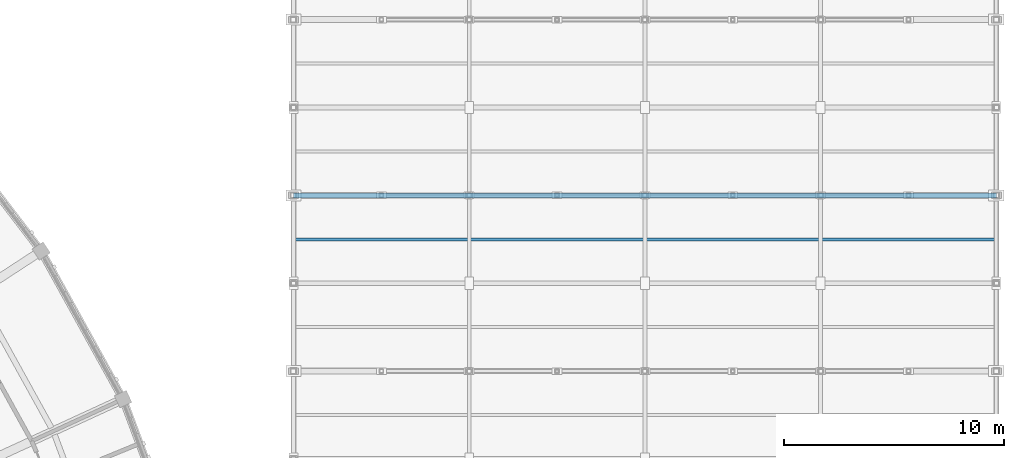
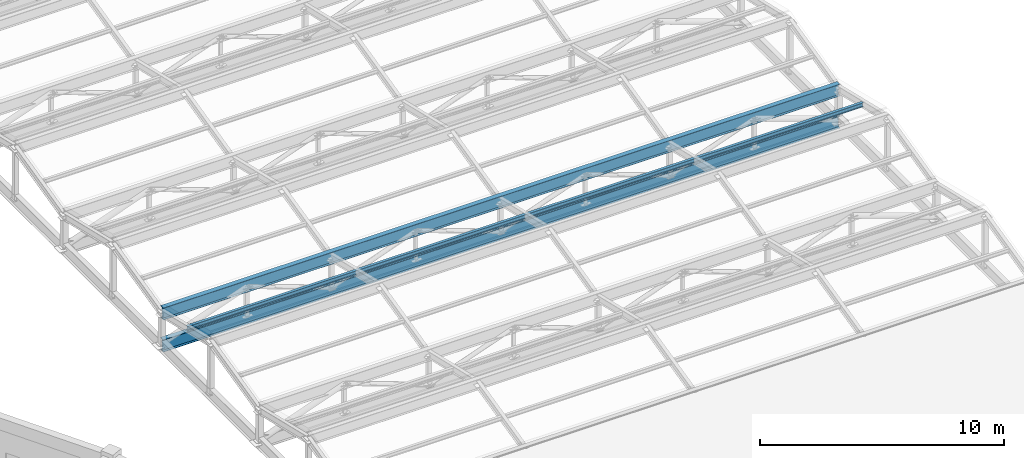
# One storey, part 49 of 112: 3 members.
"""IFC4 building model written with IfcOpenShell, lengths in metres."""

from ifc_helpers import new_model, si_unit, direction, frame, origin, origin_2d, place, context, subcontext, project, spatial, i_section, extrude, material, material_profile, profile_set, type_object, element, save


model = new_model("IFC4")

# Units and contexts
model_context = context("Model", 3, precision=1e-05, world=origin(), true_north=direction((0.0, 1.0)))
body_context = subcontext(model_context, "Body", "Model", "MODEL_VIEW")
ifc_project = project(units=[si_unit("LENGTHUNIT", "METRE"), si_unit("AREAUNIT", "SQUARE_METRE"), si_unit("VOLUMEUNIT", "CUBIC_METRE"), si_unit("PLANEANGLEUNIT", "RADIAN"), si_unit("MASSUNIT", "GRAM", prefix="KILO")], contexts=[model_context])

# Site, building, storey
site_placement = place(None, origin())
site = spatial("IfcSite", under=ifc_project, at=site_placement, CompositionType="ELEMENT")
building_placement = place(site_placement, origin())
building = spatial("IfcBuilding", under=site, at=building_placement, Name="Celadon Cloister-Ring School", CompositionType="ELEMENT")
storey_placement = place(building_placement, frame((0.0, 0.0, 8.5)))
storey = spatial("IfcBuildingStorey", under=building, at=storey_placement, Name="L02", CompositionType="ELEMENT", Elevation=8.5)

# Members
ifc_material_1 = material(Name="Structural steel S355JR", Category="steel")
ifc_material_profile_1 = material_profile(ifc_material_1, i_section(OverallWidth=0.22900390625, OverallDepth=0.612060546875, WebThickness=0.011962890625, FlangeThickness=0.01953125, at=origin_2d()), Name="W610X125")
ifc_profile_set_1 = profile_set([ifc_material_profile_1], Name="Structural steel S355JR")
member_type_1 = type_object("IfcMemberType", Name="MC-01", PredefinedType="CHORD", material=ifc_profile_set_1)
member_1_placement = place(storey_placement, frame((142.0, 90.0, 0.89990234375), z_axis=(1.0, 0.0, 0.0), x_axis=(0.0, 1.0, 0.0)))
element("IfcMember", 1, at=member_1_placement, inside=storey, type_object=member_type_1, Name="Structural Member 0433", PredefinedType="CHORD", context=body_context, shape_type="SweptSolid", body=[
    extrude(i_section(OverallWidth=0.22900390625, OverallDepth=0.612060546875, WebThickness=0.011962890625, FlangeThickness=0.01953125, at=origin_2d()), origin(), (0.0, 0.0, 1.0), 32.0),
])
ifc_material_2 = material(Name="Structural steel S355JR", Category="steel")
ifc_material_profile_2 = material_profile(ifc_material_2, i_section(OverallWidth=0.22802734375, OverallDepth=0.60302734375, WebThickness=0.010498046875, FlangeThickness=0.014892578125, at=origin_2d()), Name="W610X101")
ifc_profile_set_2 = profile_set([ifc_material_profile_2], Name="Structural steel S355JR")
member_type_2 = type_object("IfcMemberType", Name="MC-02", PredefinedType="CHORD", material=ifc_profile_set_2)
member_2_placement = place(storey_placement, frame((142.0, 90.0, 2.5), z_axis=(1.0, 0.0, 0.0), x_axis=(0.0, 1.0, 0.0)))
element("IfcMember", 2, at=member_2_placement, inside=storey, type_object=member_type_2, Name="Structural Member 0434", PredefinedType="CHORD", context=body_context, shape_type="SweptSolid", body=[
    extrude(i_section(OverallWidth=0.22802734375, OverallDepth=0.60302734375, WebThickness=0.010498046875, FlangeThickness=0.014892578125, at=origin_2d()), origin(), (0.0, 0.0, 1.0), 32.0),
])
ifc_material_3 = material(Name="Structural steel S355JR", Category="steel")
ifc_material_profile_3 = material_profile(ifc_material_3, i_section(OverallWidth=0.133056640625, OverallDepth=0.20703125, WebThickness=0.005859375, FlangeThickness=0.00830078125, at=origin_2d()), Name="W200X27")
ifc_profile_set_3 = profile_set([ifc_material_profile_3], Name="Structural steel S355JR")
member_type_3 = type_object("IfcMemberType", Name="MP-04", PredefinedType="PURLIN", material=ifc_profile_set_3)
member_3_placement = place(storey_placement, frame((142.02001953125, 88.0, 2.949951171875), z_axis=(1.0, 0.0, 0.0), x_axis=(0.0, 1.0, 0.0)))
element("IfcMember", 3, at=member_3_placement, inside=storey, type_object=member_type_3, Name="Structural Member 0536", PredefinedType="PURLIN", context=body_context, shape_type="SweptSolid", body=[
    extrude(i_section(OverallWidth=0.133056640625, OverallDepth=0.20703125, WebThickness=0.005859375, FlangeThickness=0.00830078125, at=origin_2d()), origin(), (0.0, 0.0, 1.0), 31.9599609375),
])

save(model, "model.ifc")
